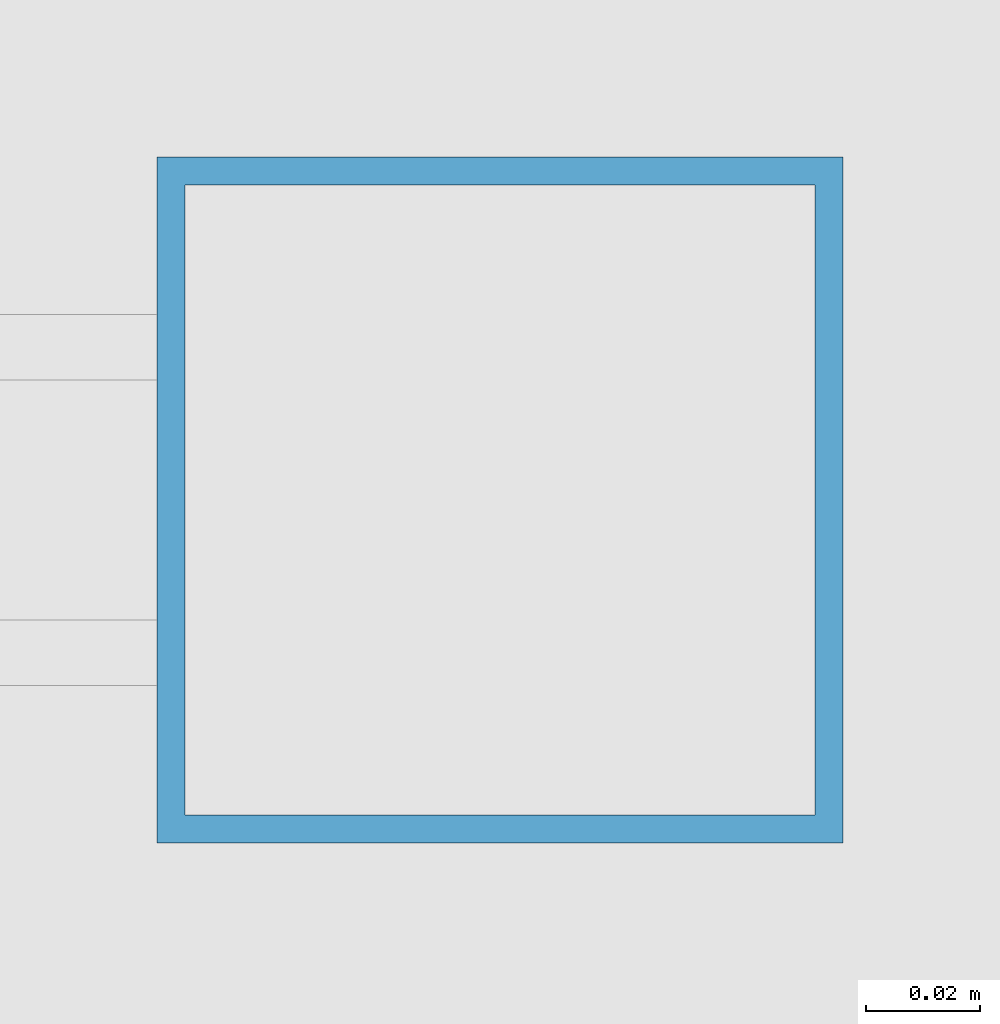
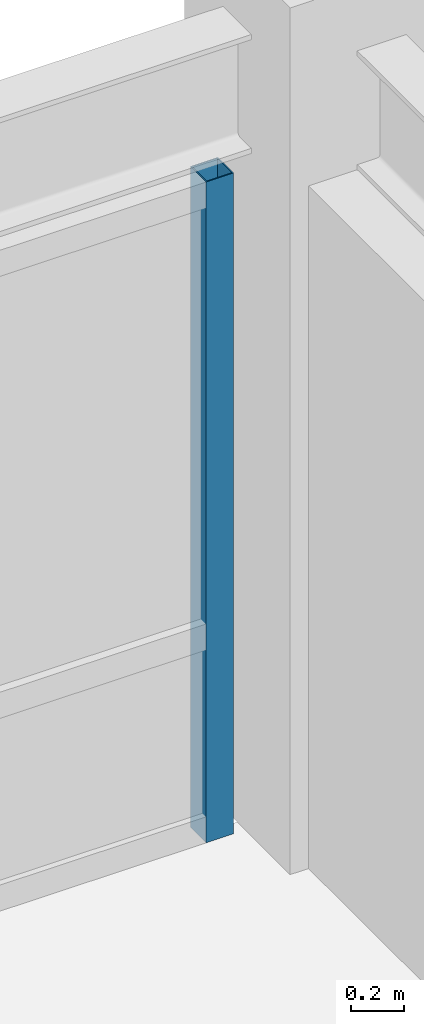
# One storey, part 22 of 32: 1 member, 1 element without a shape of its own.
"""IFC4 building model written with IfcOpenShell, lengths in metres."""

import ifcopenshell
import ifcopenshell.guid

model = None  # the IFC model being written
_history = None  # IfcOwnerHistory: only IFC2X3 demands one
_inside = {}  # id of a spatial element -> (the spatial element, [elements in it])
_under = {}  # id of a project, library or spatial element -> (it, [spatial elements below it])
_declared = {}  # id of a project -> (the project, [libraries it declares])
_typed = {}  # id of a type object -> (the type object, [elements of that type])
_made_of = {}  # id of a material, layer set ... -> (it, [elements and type objects made of it])


def new_model(schema):
    """Start an empty IFC model of exactly this schema.

    Asked for "IFC4X3", IfcOpenShell would pick the latest addendum, in which some entities
    have other attributes; the version numbers below select the first issue.
    IFC2X3 requires an IfcOwnerHistory on every rooted entity: one is made here for all.
    """
    global model, _history
    if schema == "IFC4X3":
        model = ifcopenshell.file(schema_version=(4, 3, 0, 0))
    else:
        model = ifcopenshell.file(schema=schema)
    _inside.clear()
    _under.clear()
    _declared.clear()
    _typed.clear()
    _made_of.clear()
    _history = None
    if model.schema == "IFC2X3":
        org = make("IfcOrganization", Name="unknown")
        user = make(
            "IfcPersonAndOrganization",
            ThePerson=make("IfcPerson", FamilyName="unknown"),
            TheOrganization=org,
        )
        app = make(
            "IfcApplication",
            ApplicationDeveloper=org,
            Version="unknown",
            ApplicationFullName="unknown",
            ApplicationIdentifier="unknown",
        )
        _history = make(
            "IfcOwnerHistory",
            OwningUser=user,
            OwningApplication=app,
            ChangeAction="ADDED",
            CreationDate=0,
        )
    return model


def make(cls, **values):
    """One entity of the class cls with the attributes given. An attribute that is None is left unset."""
    return model.create_entity(
        cls, **{name: value for name, value in values.items() if value is not None}
    )


def rooted(cls, **values):
    """An entity with a GlobalId (a new one), such as an element, a storey or a relation."""
    return make(cls, GlobalId=ifcopenshell.guid.new(), OwnerHistory=_history, **values)


def si_unit(unit_type, name, prefix=None):
    """IfcSIUnit, for example si_unit("LENGTHUNIT", "METRE", prefix="MILLI")."""
    return make("IfcSIUnit", UnitType=unit_type, Prefix=prefix, Name=name)


def assignment(units):
    """IfcUnitAssignment: the units of a project."""
    return None if units is None else make("IfcUnitAssignment", Units=units)


def point(xyz):
    """IfcCartesianPoint."""
    return None if xyz is None else make("IfcCartesianPoint", Coordinates=xyz)


def direction(xyz):
    """IfcDirection."""
    return None if xyz is None else make("IfcDirection", DirectionRatios=xyz)


def frame(location, z_axis=None, x_axis=None):
    """IfcAxis2Placement3D, a coordinate frame: its origin and axes. An axis left out is left unset."""
    return make(
        "IfcAxis2Placement3D",
        Location=point(location),
        Axis=direction(z_axis),
        RefDirection=direction(x_axis),
    )


def frame_2d(location, x_axis=None):
    """IfcAxis2Placement2D, a coordinate frame in the plane: its origin and x axis."""
    return make(
        "IfcAxis2Placement2D", Location=point(location), RefDirection=direction(x_axis)
    )


def origin():
    """The frame at (0, 0, 0) with its axes left unset."""
    return frame((0.0, 0.0, 0.0))


def origin_2d():
    """The frame at (0, 0) in the plane with its x axis left unset."""
    return frame_2d((0.0, 0.0))


def place(relative_to, where):
    """IfcLocalPlacement: puts the frame where relative to a parent placement (None: the world)."""
    return make(
        "IfcLocalPlacement", PlacementRelTo=relative_to, RelativePlacement=where
    )


def context(
    kind, dimensions, precision=None, world=None, true_north=None, identifier=None
):
    """IfcGeometricRepresentationContext, for example the 3D "Model" context."""
    return make(
        "IfcGeometricRepresentationContext",
        ContextIdentifier=identifier,
        ContextType=kind,
        CoordinateSpaceDimension=dimensions,
        Precision=precision,
        WorldCoordinateSystem=world,
        TrueNorth=true_north,
    )


def subcontext(parent, identifier, kind, view, scale=None):
    """IfcGeometricRepresentationSubContext, for example "Body" below "Model"."""
    return make(
        "IfcGeometricRepresentationSubContext",
        ContextIdentifier=identifier,
        ContextType=kind,
        ParentContext=parent,
        TargetScale=scale,
        TargetView=view,
    )


def project(units=None, contexts=None):
    """IfcProject with its units and contexts."""
    return rooted(
        "IfcProject",
        Name="project",
        RepresentationContexts=contexts,
        UnitsInContext=assignment(units),
    )


def spatial(cls, under=None, at=None, **own):
    """A site, building, storey or space (cls), placed at a placement, below another one or the project."""
    s = rooted(cls, ObjectPlacement=at, **own)
    if under is not None:
        _under.setdefault(under.id(), (under, []))[1].append(s)
    return s


def profile(cls, at=None, kind="AREA", **sizes):
    """A parametric profile (cls). Its sizes go by their IFC names, for example OverallWidth=200.0."""
    return make(cls, ProfileType=kind, Position=at, **sizes)


def hollow_rectangle(**sizes):
    """IfcRectangleHollowProfileDef."""
    return profile("IfcRectangleHollowProfileDef", **sizes)


def extrude(swept, where, along, depth):
    """IfcExtrudedAreaSolid: the profile swept, set in the frame where, extruded along a direction by depth."""
    return make(
        "IfcExtrudedAreaSolid",
        SweptArea=swept,
        Position=where,
        ExtrudedDirection=direction(along),
        Depth=depth,
    )


def shape(context_of_items, identifier, shape_type, items):
    """IfcShapeRepresentation: the items that make up one representation, for example the "Body"."""
    return make(
        "IfcShapeRepresentation",
        ContextOfItems=context_of_items,
        RepresentationIdentifier=identifier,
        RepresentationType=shape_type,
        Items=items,
    )


def source(mapping_origin, context_of_items, identifier, shape_type, items):
    """IfcRepresentationMap: a shape defined once, which mapped items show again and again."""
    return make(
        "IfcRepresentationMap",
        MappingOrigin=mapping_origin,
        MappedRepresentation=shape(context_of_items, identifier, shape_type, items),
    )


def transform(
    local_origin,
    x_axis=None,
    y_axis=None,
    z_axis=None,
    scale=None,
    scale2=None,
    scale3=None,
    uniform=True,
):
    """IfcCartesianTransformationOperator3D, or its non-uniform kind. x_axis, y_axis, z_axis: its Axis1, 2, 3."""
    if uniform:
        return make(
            "IfcCartesianTransformationOperator3D",
            Axis1=direction(x_axis),
            Axis2=direction(y_axis),
            LocalOrigin=point(local_origin),
            Scale=scale,
            Axis3=direction(z_axis),
        )
    return make(
        "IfcCartesianTransformationOperator3DnonUniform",
        Axis1=direction(x_axis),
        Axis2=direction(y_axis),
        LocalOrigin=point(local_origin),
        Scale=scale,
        Axis3=direction(z_axis),
        Scale2=scale2,
        Scale3=scale3,
    )


def mapped(mapping_source, mapping_target):
    """IfcMappedItem: shows the shape of a source again, moved by a transform."""
    return make(
        "IfcMappedItem", MappingSource=mapping_source, MappingTarget=mapping_target
    )


def material(Name=None, Category=None):
    """IfcMaterial."""
    return make("IfcMaterial", Name=Name, Category=Category)


def material_profile(
    of_material, cross_section, Name=None, Category=None, Priority=None
):
    """IfcMaterialProfile: a cross section and its material."""
    return make(
        "IfcMaterialProfile",
        Name=Name,
        Material=of_material,
        Profile=cross_section,
        Priority=Priority,
        Category=Category,
    )


def profile_set(profiles, Name=None, composite=None):
    """IfcMaterialProfileSet."""
    return make(
        "IfcMaterialProfileSet",
        Name=Name,
        MaterialProfiles=profiles,
        CompositeProfile=composite,
    )


def made_of(thing, what):
    """Note that an element or type object is made of a material, layer set ...; save() writes the relation."""
    if what is not None:
        _made_of.setdefault(what.id(), (what, []))[1].append(thing)
    return thing


def type_object(cls, material=None, **own):
    """A type object (cls), such as IfcWallType, which elements share."""
    return made_of(rooted(cls, **own), material)


def element(
    cls,
    number,
    at=None,
    inside=None,
    cuts=None,
    type_object=None,
    material=None,
    context=None,
    identifier="Body",
    shape_type=None,
    held_by="IfcProductDefinitionShape",
    body=None,
    shapes=None,
    **own,
):
    """One element of the class cls, such as IfcWall. Its Tag is "e" and its number.

    at: its placement. inside: the storey or other place that contains it. cuts: it is an
    opening in that element (IfcRelVoidsElement). A single representation is given by context,
    identifier, shape_type and body (its items); several are given by shapes. held_by: the class
    of the entity that holds the representations. save() writes the other relations.
    """
    e = rooted(cls, Tag="e%d" % number, ObjectPlacement=at, **own)
    if body is not None:
        shapes = [shape(context, identifier, shape_type, body)]
    if shapes is not None:
        e.Representation = make(held_by, Representations=shapes)
    if inside is not None:
        _inside.setdefault(inside.id(), (inside, []))[1].append(e)
    if cuts is not None:
        rooted(
            "IfcRelVoidsElement", RelatingBuildingElement=cuts, RelatedOpeningElement=e
        )
    if type_object is not None:
        _typed.setdefault(type_object.id(), (type_object, []))[1].append(e)
    return made_of(e, material)


def aggregate(whole, parts):
    """IfcRelAggregates: a whole, such as a stair, and the parts it consists of."""
    return rooted("IfcRelAggregates", RelatingObject=whole, RelatedObjects=parts)


def save(model, path):
    """Write the relations noted so far, then the file.

    IfcRelAggregates (storeys below a building ...), IfcRelContainedInSpatialStructure (elements
    in a storey), IfcRelDefinesByType, IfcRelAssociatesMaterial and IfcRelDeclares: one each for
    every whole, place, type object, material and project.
    """
    for whole, parts in _under.values():
        aggregate(whole, parts)
    for where, things in _inside.values():
        rooted(
            "IfcRelContainedInSpatialStructure",
            RelatedElements=things,
            RelatingStructure=where,
        )
    for kind, things in _typed.values():
        rooted("IfcRelDefinesByType", RelatedObjects=things, RelatingType=kind)
    for what, things in _made_of.values():
        rooted("IfcRelAssociatesMaterial", RelatedObjects=things, RelatingMaterial=what)
    for by, libraries in _declared.values():
        rooted("IfcRelDeclares", RelatingContext=by, RelatedDefinitions=libraries)
    model.write(path)


model = new_model("IFC4")

# Units and contexts
model_context = context("Model", 3, precision=1e-05, world=origin(), true_north=direction((0.0, 1.0)))
body_context = subcontext(model_context, "Body", "Model", "MODEL_VIEW")
ifc_project = project(units=[si_unit("LENGTHUNIT", "METRE"), si_unit("AREAUNIT", "SQUARE_METRE"), si_unit("VOLUMEUNIT", "CUBIC_METRE"), si_unit("PLANEANGLEUNIT", "RADIAN"), si_unit("MASSUNIT", "GRAM", prefix="KILO")], contexts=[model_context])

# Site, building, storey
site_placement = place(None, origin())
site = spatial("IfcSite", under=ifc_project, at=site_placement, CompositionType="ELEMENT")
building_placement = place(site_placement, origin())
building = spatial("IfcBuilding", under=site, at=building_placement, Name="Khorayat Bourse Tower", CompositionType="ELEMENT")
storey_placement = place(building_placement, frame((0.0, 0.0, 342.300048828125)))
storey = spatial("IfcBuildingStorey", under=building, at=storey_placement, Name="L81", CompositionType="ELEMENT", Elevation=342.300048828125)

# Curtain wall, member
ifc_material = material(Name="Aluminium EN AW-6063 T6", Category="aluminium")
curtain_wall_type = type_object("IfcCurtainWallType", Name="CW-SYS-04", PredefinedType="NOTDEFINED", material=ifc_material)
curtain_wall_placement = place(storey_placement, origin())
curtain_wall = element("IfcCurtainWall", 1, at=curtain_wall_placement, inside=storey, type_object=curtain_wall_type, Name="L81 Curtain Wall CW-L81-N1", PredefinedType="NOTDEFINED")
ifc_material_profile = material_profile(ifc_material, hollow_rectangle(XDim=0.1201171875, YDim=0.1201171875, WallThickness=0.0048828125, at=origin_2d()), Name="ALU 120x120x5")
ifc_profile_set = profile_set([ifc_material_profile], Name="Aluminium EN AW-6063 T6")
member_type = type_object("IfcMemberType", Name="CWM-VERT-120", PredefinedType="MULLION", material=ifc_profile_set)
shared_shape = source(origin(), body_context, "Body", "SweptSolid", [
    extrude(hollow_rectangle(XDim=0.1201171875, YDim=0.1201171875, WallThickness=0.0048828125, at=origin_2d()), origin(), (0.0, 0.0, 1.0), 3.050048828125),
])
member_placement = place(storey_placement, frame((19.489990234375, 26.0, 0.0), z_axis=(0.0, 0.0, 1.0), x_axis=(0.0, 1.0, 0.0)))
member = element("IfcMember", 2, at=member_placement, type_object=member_type, Name="CW-L81-N1 Vertical Mullion 3", PredefinedType="MULLION", context=body_context, shape_type="MappedRepresentation", body=[
    mapped(shared_shape, transform((0.0, 0.0, 0.0), scale=1.0)),
])
aggregate(curtain_wall, [member])

save(model, "model.ifc")
